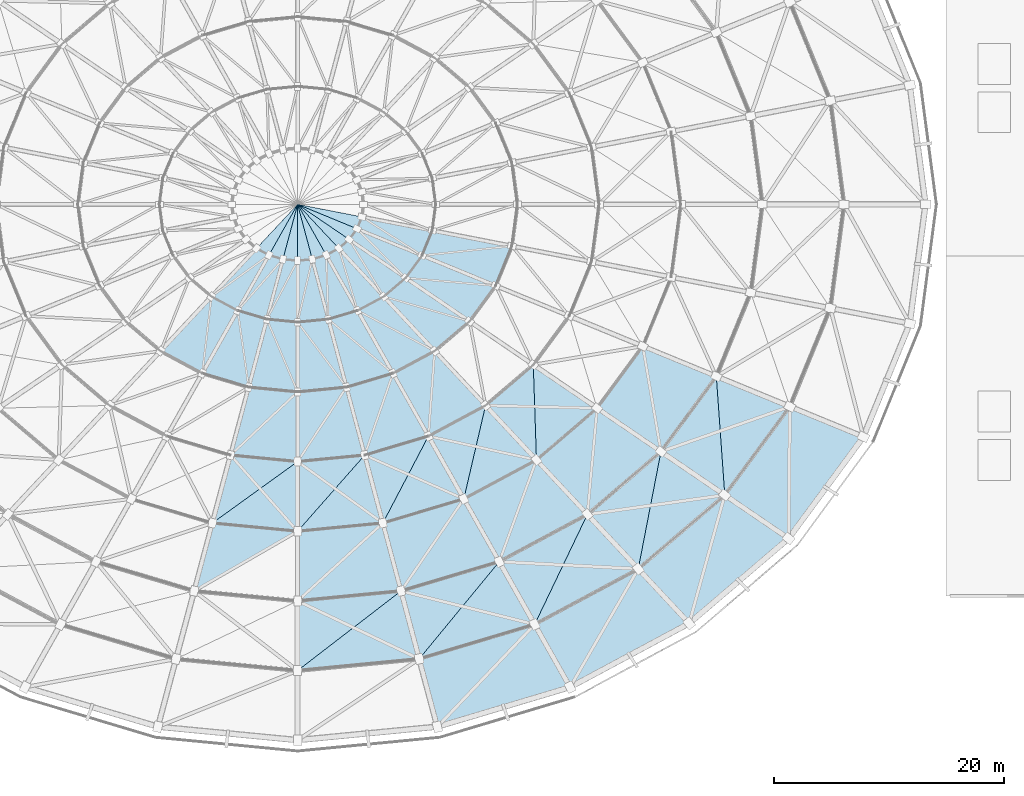
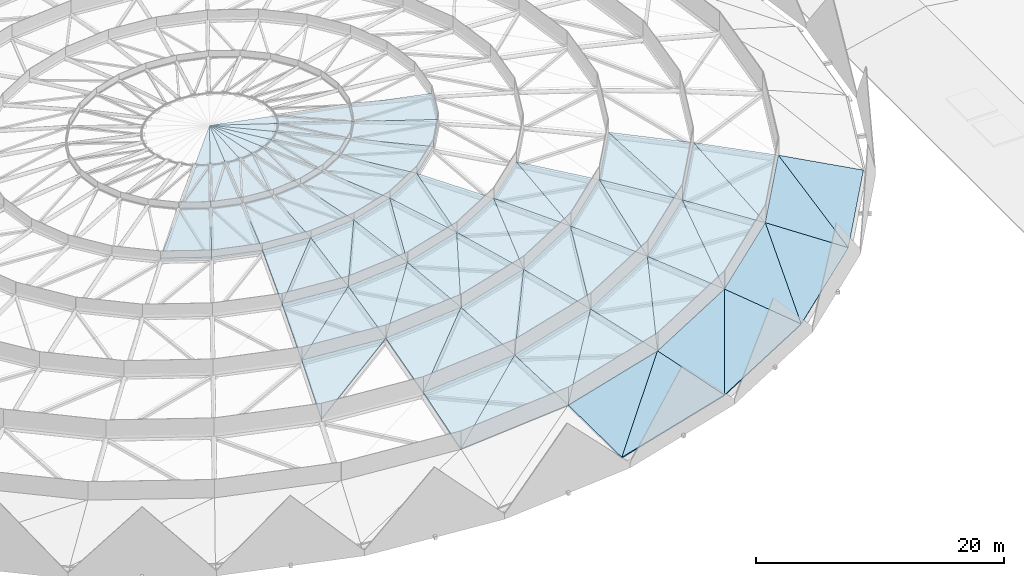
# One storey, part 20 of 27: 56 roofs.
"""IFC4 building model written with IfcOpenShell, lengths in metres."""

from ifc_helpers import new_model, si_unit, direction, frame, origin, place, context, subcontext, project, spatial, polyline, outline, extrude, material, layer, layer_set, type_object, element, save


model = new_model("IFC4")

# Units and contexts
model_context = context("Model", 3, precision=1e-05, world=origin(), true_north=direction((0.0, 1.0)))
body_context = subcontext(model_context, "Body", "Model", "MODEL_VIEW")
ifc_project = project(units=[si_unit("LENGTHUNIT", "METRE"), si_unit("AREAUNIT", "SQUARE_METRE"), si_unit("VOLUMEUNIT", "CUBIC_METRE"), si_unit("PLANEANGLEUNIT", "RADIAN"), si_unit("MASSUNIT", "GRAM", prefix="KILO")], contexts=[model_context])

# Site, building, storey
site_placement = place(None, origin())
site = spatial("IfcSite", under=ifc_project, at=site_placement, CompositionType="ELEMENT")
building_placement = place(site_placement, origin())
building = spatial("IfcBuilding", under=site, at=building_placement, Name="Cuetzalor Civic Arena", CompositionType="ELEMENT")
storey_placement = place(building_placement, frame((0.0, 0.0, 31.800048828125)))
storey = spatial("IfcBuildingStorey", under=building, at=storey_placement, Name="Roof", CompositionType="ELEMENT", Elevation=31.800048828125)

# Roofs
ifc_material = material(Name="Standing-seam acoustic zinc and steel deck", Category="steel")
ifc_layer = layer(ifc_material, 0.179931640625)
ifc_layer_set = layer_set([ifc_layer], Name="Standing-seam acoustic zinc and steel deck")
roof_type = type_object("IfcRoofType", Name="ArenaDomeRoof_StandingSeam", PredefinedType="DOME_ROOF", material=ifc_layer_set)
roof_1_placement = place(storey_placement, frame((12.138427734375, -45.3828125, 0.4150390625), z_axis=(0.093492784167, -0.313125573921, 0.945098658482), x_axis=(0.95820017042, 0.286098642791, 0.0)))
element("IfcRoof", 1, at=roof_1_placement, inside=storey, type_object=roof_type, Name="Arena Space-Frame Dome Shell Panel R1-S23A", PredefinedType="DOME_ROOF", context=body_context, shape_type="SweptSolid", body=[
    extrude(outline(polyline([(0.0, 0.0), (12.033006936139385, -4.440892098500626e-16), (10.644638831073085, 6.459412026563838), (0.0, 0.0)])), origin(), (0.0, 0.0, -1.0), 0.179931640625),
])
roof_2_placement = place(storey_placement, frame((12.138427734375, -45.3828125, 0.4150390625), z_axis=(0.093505868159, -0.313136816778, 0.945093639063), x_axis=(0.678900518938, 0.714390639643, 0.16952905172)))
element("IfcRoof", 2, at=roof_2_placement, inside=storey, type_object=roof_type, Name="Arena Space-Frame Dome Shell Panel R1-S23B", PredefinedType="DOME_ROOF", context=body_context, shape_type="SweptSolid", body=[
    extrude(outline(polyline([(0.0, 0.0), (12.451198318752557, -3.3306690738754696e-16), (3.501285140193802, 5.430683394666152), (0.0, 0.0)])), origin(), (0.0, 0.0, -1.0), 0.179931640625),
])
roof_3_placement = place(storey_placement, frame((23.66845703125, -41.940185546875, 0.4150390625), z_axis=(0.15100952992, -0.281630513077, 0.947565499571), x_axis=(0.881302704338, 0.472552159371, 0.0)))
element("IfcRoof", 3, at=roof_3_placement, inside=storey, type_object=roof_type, Name="Arena Space-Frame Dome Shell Panel R1-S24A", PredefinedType="DOME_ROOF", context=body_context, shape_type="SweptSolid", body=[
    extrude(outline(polyline([(0.0, 0.0), (11.736055644911866, -8.881784197001252e-16), (10.07499974114683, 6.605423689352449), (0.0, 0.0)])), origin(), (0.0, 0.0, -1.0), 0.179931640625),
])
roof_4_placement = place(storey_placement, frame((23.66845703125, -41.940185546875, 0.4150390625), z_axis=(0.151002945209, -0.281627140551, 0.947567551282), x_axis=(0.491511849507, 0.853063053722, 0.175212808231)))
element("IfcRoof", 4, at=roof_4_placement, inside=storey, type_object=roof_type, Name="Arena Space-Frame Dome Shell Panel R1-S24B", PredefinedType="DOME_ROOF", context=body_context, shape_type="SweptSolid", body=[
    extrude(outline(polyline([(0.0, 0.0), (12.04729189071001, -1.1102230246251565e-16), (3.5087459178262206, 5.59823827719228), (0.0, 0.0)])), origin(), (0.0, 0.0, -1.0), 0.179931640625),
])
roof_5_placement = place(storey_placement, frame((34.011474609375, -36.394287109375, 0.4150390625), z_axis=(0.201361554576, -0.235963381118, 0.950670714343), x_axis=(0.760676878001, 0.649130716632, 0.0)))
element("IfcRoof", 5, at=roof_5_placement, inside=storey, type_object=roof_type, Name="Arena Space-Frame Dome Shell Panel R1-S25A", PredefinedType="DOME_ROOF", context=body_context, shape_type="SweptSolid", body=[
    extrude(outline(polyline([(0.0, 0.0), (11.35495428042528, 0.0), (9.586569074232107, 6.804729847043853), (0.0, 0.0)])), origin(), (0.0, 0.0, -1.0), 0.179931640625),
])
roof_6_placement = place(storey_placement, frame((34.011474609375, -36.394287109375, 0.4150390625), z_axis=(0.201357748461, -0.235962517994, 0.950671734742), x_axis=(0.263098220305, 0.947913668467, 0.179552230859)))
element("IfcRoof", 6, at=roof_6_placement, inside=storey, type_object=roof_type, Name="Arena Space-Frame Dome Shell Panel R1-S25B", PredefinedType="DOME_ROOF", context=body_context, shape_type="SweptSolid", body=[
    extrude(outline(polyline([(0.0, 0.0), (11.756132650930446, 4.440892098500626e-16), (3.7004530520720937, 5.718161946001663), (0.0, 0.0)])), origin(), (0.0, 0.0, -1.0), 0.179931640625),
])
roof_7_placement = place(storey_placement, frame((42.64892578125, -29.0234375, 0.4150390625), z_axis=(0.241905873144, -0.17812387539, 0.953809956729), x_axis=(0.59293459696, 0.805250621687, 0.0)))
element("IfcRoof", 7, at=roof_7_placement, inside=storey, type_object=roof_type, Name="Arena Space-Frame Dome Shell Panel R1-S26A", PredefinedType="DOME_ROOF", context=body_context, shape_type="SweptSolid", body=[
    extrude(outline(polyline([(0.0, 0.0), (10.960776232010911, -8.881784197001252e-16), (9.286650035525414, 7.026514380858676), (0.0, 0.0)])), origin(), (0.0, 0.0, -1.0), 0.179931640625),
])
roof_8_placement = place(storey_placement, frame((42.64892578125, -29.0234375, 0.4150390625), z_axis=(0.241915430252, -0.178123531911, 0.953807596943), x_axis=(0.009413139464, 0.983390050899, 0.181260587547)))
element("IfcRoof", 8, at=roof_8_placement, inside=storey, type_object=roof_type, Name="Arena Space-Frame Dome Shell Panel R1-S26B", PredefinedType="DOME_ROOF", context=body_context, shape_type="SweptSolid", body=[
    extrude(outline(polyline([(0.0, 0.0), (11.645332679951139, 0.0), (4.040702267893905, 5.753630133313173), (0.0, 0.0)])), origin(), (0.0, 0.0, -1.0), 0.179931640625),
])
roof_9_placement = place(storey_placement, frame((0.0, -40.49853515625, 2.52587890625), z_axis=(0.028703639915, -0.298534418886, 0.95396713874), x_axis=(0.995409535031, 0.095707144817, 0.0)))
element("IfcRoof", 9, at=roof_9_placement, inside=storey, type_object=roof_type, Name="Arena Space-Frame Dome Shell Panel R2-S22A", PredefinedType="DOME_ROOF", context=body_context, shape_type="SweptSolid", body=[
    extrude(outline(polyline([(0.0, 0.0), (10.609248257471279, 1.1102230246251565e-16), (9.603030393018331, 6.314532903713079), (0.0, 0.0)])), origin(), (0.0, 0.0, -1.0), 0.179931640625),
])
roof_10_placement = place(storey_placement, frame((0.0, -40.49853515625, 2.52587890625), z_axis=(0.028708257056, -0.298539907745, 0.953965282104), x_axis=(0.781548586881, 0.601689598919, 0.164776918581)))
element("IfcRoof", 10, at=roof_10_placement, inside=storey, type_object=roof_type, Name="Arena Space-Frame Dome Shell Panel R2-S22B", PredefinedType="DOME_ROOF", context=body_context, shape_type="SweptSolid", body=[
    extrude(outline(polyline([(0.0, 0.0), (11.493107435385301, 5.551115123125783e-17), (3.953187169391751, 4.957782057135439), (0.0, 0.0)])), origin(), (0.0, 0.0, -1.0), 0.179931640625),
])
roof_11_placement = place(storey_placement, frame((10.560546875, -39.483154296875, 2.52587890625), z_axis=(0.084777775286, -0.283907771878, 0.955096385652), x_axis=(0.95819201033, 0.286125971104, 0.0)))
element("IfcRoof", 11, at=roof_11_placement, inside=storey, type_object=roof_type, Name="Arena Space-Frame Dome Shell Panel R2-S23A", PredefinedType="DOME_ROOF", context=body_context, shape_type="SweptSolid", body=[
    extrude(outline(polyline([(0.0, 0.0), (10.468680338841297, 4.440892098500626e-16), (9.08041649130718, 6.391592925687532), (0.0, 0.0)])), origin(), (0.0, 0.0, -1.0), 0.179931640625),
])
roof_12_placement = place(storey_placement, frame((10.560546875, -39.483154296875, 2.52587890625), z_axis=(0.084769059936, -0.283901208112, 0.955099110308), x_axis=(0.626250633236, 0.760739297872, 0.170545785775)))
element("IfcRoof", 12, at=roof_12_placement, inside=storey, type_object=roof_type, Name="Arena Space-Frame Dome Shell Panel R2-S23B", PredefinedType="DOME_ROOF", context=body_context, shape_type="SweptSolid", body=[
    extrude(outline(polyline([(0.0, 0.0), (11.104342564208936, 3.885780586188048e-16), (3.8229651951640298, 5.125498736648349), (0.0, 0.0)])), origin(), (0.0, 0.0, -1.0), 0.179931640625),
])
roof_13_placement = place(storey_placement, frame((20.591552734375, -36.48779296875, 2.52587890625), z_axis=(0.136847439862, -0.255226499898, 0.95714795719), x_axis=(0.881308929079, 0.472540550139, 0.0)))
element("IfcRoof", 13, at=roof_13_placement, inside=storey, type_object=roof_type, Name="Arena Space-Frame Dome Shell Panel R2-S24A", PredefinedType="DOME_ROOF", context=body_context, shape_type="SweptSolid", body=[
    extrude(outline(polyline([(0.0, 0.0), (10.210143933327815, 0.0), (8.549336110101432, 6.5393750953462515), (0.0, 0.0)])), origin(), (0.0, 0.0, -1.0), 0.179931640625),
])
roof_14_placement = place(storey_placement, frame((20.591552734375, -36.48779296875, 2.52587890625), z_axis=(0.136855314861, -0.255229870368, 0.957145932482), x_axis=(0.425221522415, 0.88782316266, 0.175945129854)))
element("IfcRoof", 14, at=roof_14_placement, inside=storey, type_object=roof_type, Name="Arena Space-Frame Dome Shell Panel R2-S24B", PredefinedType="DOME_ROOF", context=body_context, shape_type="SweptSolid", body=[
    extrude(outline(polyline([(0.0, 0.0), (10.763576290486313, 1.1102230246251565e-16), (3.8653824203605867, 5.2762254863146705), (0.0, 0.0)])), origin(), (0.0, 0.0, -1.0), 0.179931640625),
])
roof_15_placement = place(storey_placement, frame((29.58984375, -31.6630859375, 2.52587890625), z_axis=(0.182374954967, -0.21371739564, 0.959720923291), x_axis=(0.760681764148, 0.649124990809, 0.0)))
element("IfcRoof", 15, at=roof_15_placement, inside=storey, type_object=roof_type, Name="Arena Space-Frame Dome Shell Panel R2-S25A", PredefinedType="DOME_ROOF", context=body_context, shape_type="SweptSolid", body=[
    extrude(outline(polyline([(0.0, 0.0), (9.878833425064123, 8.881784197001252e-16), (8.110743715816882, 6.740575465109467), (0.0, 0.0)])), origin(), (0.0, 0.0, -1.0), 0.179931640625),
])
roof_16_placement = place(storey_placement, frame((29.58984375, -31.6630859375, 2.52587890625), z_axis=(0.182370638824, -0.213716740301, 0.959721889409), x_axis=(0.186843024489, 0.96583791658, 0.179573948825)))
element("IfcRoof", 16, at=roof_16_placement, inside=storey, type_object=roof_type, Name="Arena Space-Frame Dome Shell Panel R2-S25B", PredefinedType="DOME_ROOF", context=body_context, shape_type="SweptSolid", body=[
    extrude(outline(polyline([(0.0, 0.0), (10.546066623367157, -4.440892098500626e-16), (4.083780949914308, 5.370702227497047), (0.0, 0.0)])), origin(), (0.0, 0.0, -1.0), 0.179931640625),
])
roof_17_placement = place(storey_placement, frame((37.1044921875, -25.25048828125, 2.52587890625), z_axis=(0.218981097675, -0.161236869012, 0.962314891775), x_axis=(0.592918666159, 0.805262351858, 0.0)))
element("IfcRoof", 17, at=roof_17_placement, inside=storey, type_object=roof_type, Name="Arena Space-Frame Dome Shell Panel R2-S26A", PredefinedType="DOME_ROOF", context=body_context, shape_type="SweptSolid", body=[
    extrude(outline(polyline([(0.0, 0.0), (9.535966831682835, 0.0), (7.861921382100916, 6.964093771003898), (0.0, 0.0)])), origin(), (0.0, 0.0, -1.0), 0.179931640625),
])
roof_18_placement = place(storey_placement, frame((37.1044921875, -25.25048828125, 2.52587890625), z_axis=(0.218977521672, -0.161237261584, 0.962315639735), x_axis=(-0.069991692495, 0.981115697483, 0.180314034766)))
element("IfcRoof", 18, at=roof_18_placement, inside=storey, type_object=roof_type, Name="Arena Space-Frame Dome Shell Panel R2-S26B", PredefinedType="DOME_ROOF", context=body_context, shape_type="SweptSolid", body=[
    extrude(outline(polyline([(0.0, 0.0), (10.502781054067103, 5.551115123125783e-17), (4.4314649455924116, 5.378068171450354), (0.0, 0.0)])), origin(), (0.0, 0.0, -1.0), 0.179931640625),
])
roof_19_placement = place(storey_placement, frame((-8.982421875, -33.583251953125, 4.419677734375), z_axis=(-0.025453188251, -0.264735852692, 0.963984991329), x_axis=(0.855048549129, 0.493828186031, 0.158195136821)))
element("IfcRoof", 19, at=roof_19_placement, inside=storey, type_object=roof_type, Name="Arena Space-Frame Dome Shell Panel R3-S21B", PredefinedType="DOME_ROOF", context=body_context, shape_type="SweptSolid", body=[
    extrude(outline(polyline([(0.0, 0.0), (10.505160068570673, 1.1657341758564144e-15), (4.5254812462879865, 4.424645801281962), (0.0, 0.0)])), origin(), (0.0, 0.0, -1.0), 0.179931640625),
])
roof_20_placement = place(storey_placement, frame((0.0, -34.447021484375, 4.419677734375), z_axis=(0.025457479161, -0.264734757854, 0.963985178692), x_axis=(0.995408235955, 0.095720655001, 0.0)))
element("IfcRoof", 20, at=roof_20_placement, inside=storey, type_object=roof_type, Name="Arena Space-Frame Dome Shell Panel R3-S22A", PredefinedType="DOME_ROOF", context=body_context, shape_type="SweptSolid", body=[
    extrude(outline(polyline([(0.0, 0.0), (9.023857298494606, 0.0), (8.017940843204515, 6.248648098771684), (0.0, 0.0)])), origin(), (0.0, 0.0, -1.0), 0.179931640625),
])
roof_21_placement = place(storey_placement, frame((0.0, -34.447021484375, 4.419677734375), z_axis=(0.025452605239, -0.264729788851, 0.963986671994), x_axis=(0.728414645923, 0.66534573959, 0.163484404194)))
element("IfcRoof", 21, at=roof_21_placement, inside=storey, type_object=roof_type, Name="Arena Space-Frame Dome Shell Panel R3-S22B", PredefinedType="DOME_ROOF", context=body_context, shape_type="SweptSolid", body=[
    extrude(outline(polyline([(0.0, 0.0), (10.165282997900754, -1.6653345369377348e-16), (4.29803788734222, 4.5726889350889754), (0.0, 0.0)])), origin(), (0.0, 0.0, -1.0), 0.179931640625),
])
roof_22_placement = place(storey_placement, frame((8.982421875, -33.583251953125, 4.419677734375), z_axis=(0.075152347733, -0.251693746868, 0.964884647208), x_axis=(0.958198261041, 0.286105037598, 0.0)))
element("IfcRoof", 22, at=roof_22_placement, inside=storey, type_object=roof_type, Name="Arena Space-Frame Dome Shell Panel R3-S23A", PredefinedType="DOME_ROOF", context=body_context, shape_type="SweptSolid", body=[
    extrude(outline(polyline([(0.0, 0.0), (8.904447972211592, -4.440892098500626e-16), (7.516050759255841, 6.32672204802317), (0.0, 0.0)])), origin(), (0.0, 0.0, -1.0), 0.179931640625),
])
roof_23_placement = place(storey_placement, frame((8.982421875, -33.583251953125, 4.419677734375), z_axis=(0.075155803354, -0.251695929207, 0.964883808779), x_axis=(0.555284159458, 0.814275947772, 0.169157273369)))
element("IfcRoof", 23, at=roof_23_placement, inside=storey, type_object=roof_type, Name="Arena Space-Frame Dome Shell Panel R3-S23B", PredefinedType="DOME_ROOF", context=body_context, shape_type="SweptSolid", body=[
    extrude(outline(polyline([(0.0, 0.0), (9.82437941493776, -1.887379141862766e-15), (4.208894119913557, 4.72680455113848), (0.0, 0.0)])), origin(), (0.0, 0.0, -1.0), 0.179931640625),
])
roof_24_placement = place(storey_placement, frame((17.5146484375, -31.03564453125, 4.419677734375), z_axis=(0.121268103981, -0.226160324794, 0.966512056027), x_axis=(0.88130020339, 0.472556823572, 0.0)))
element("IfcRoof", 24, at=roof_24_placement, inside=storey, type_object=roof_type, Name="Arena Space-Frame Dome Shell Panel R3-S24A", PredefinedType="DOME_ROOF", context=body_context, shape_type="SweptSolid", body=[
    extrude(outline(polyline([(0.0, 0.0), (8.68467812024583, 0.0), (7.023655342024928, 6.475946523311035), (0.0, 0.0)])), origin(), (0.0, 0.0, -1.0), 0.179931640625),
])
roof_25_placement = place(storey_placement, frame((17.5146484375, -31.03564453125, 4.419677734375), z_axis=(0.12127248328, -0.226161760332, 0.966511170635), x_axis=(0.338323463708, 0.924812132951, 0.173953305949)))
element("IfcRoof", 25, at=roof_25_placement, inside=storey, type_object=roof_type, Name="Arena Space-Frame Dome Shell Panel R3-S24B", PredefinedType="DOME_ROOF", context=body_context, shape_type="SweptSolid", body=[
    extrude(outline(polyline([(0.0, 0.0), (9.553513371338294, 1.1102230246251565e-16), (4.290311057994754, 4.852658005622666), (0.0, 0.0)])), origin(), (0.0, 0.0, -1.0), 0.179931640625),
])
roof_26_placement = place(storey_placement, frame((25.16845703125, -26.931640625, 4.419677734375), z_axis=(0.161511103138, -0.189271840619, 0.968550635698), x_axis=(0.760688366944, 0.649117253195, 0.0)))
element("IfcRoof", 26, at=roof_26_placement, inside=storey, type_object=roof_type, Name="Arena Space-Frame Dome Shell Panel R3-S25A", PredefinedType="DOME_ROOF", context=body_context, shape_type="SweptSolid", body=[
    extrude(outline(polyline([(0.0, 0.0), (8.402712570459357, 8.881784197001252e-16), (6.634212867718413, 6.67907886923034), (0.0, 0.0)])), origin(), (0.0, 0.0, -1.0), 0.179931640625),
])
roof_27_placement = place(storey_placement, frame((25.16845703125, -26.931640625, 4.419677734375), z_axis=(0.161506103207, -0.189271542105, 0.968551527786), x_axis=(0.090016422422, 0.980170177304, 0.176531773962)))
element("IfcRoof", 27, at=roof_27_placement, inside=storey, type_object=roof_type, Name="Arena Space-Frame Dome Shell Panel R3-S25B", PredefinedType="DOME_ROOF", context=body_context, shape_type="SweptSolid", body=[
    extrude(outline(polyline([(0.0, 0.0), (9.413972323923618, 0.0), (4.532734918178539, 4.914386452455479), (0.0, 0.0)])), origin(), (0.0, 0.0, -1.0), 0.179931640625),
])
roof_28_placement = place(storey_placement, frame((31.560302734375, -21.477294921875, 4.419677734375), z_axis=(0.193812579037, -0.142707841727, 0.970603500981), x_axis=(0.592925880885, 0.80525703957, 0.0)))
element("IfcRoof", 28, at=roof_28_placement, inside=storey, type_object=roof_type, Name="Arena Space-Frame Dome Shell Panel R3-S26A", PredefinedType="DOME_ROOF", context=body_context, shape_type="SweptSolid", body=[
    extrude(outline(polyline([(0.0, 0.0), (8.110764239317504, 8.881784197001252e-16), (6.436855342297008, 6.9047565717553), (0.0, 0.0)])), origin(), (0.0, 0.0, -1.0), 0.179931640625),
])
roof_29_placement = place(storey_placement, frame((31.560302734375, -21.477294921875, 4.419677734375), z_axis=(0.193812934934, -0.142707769349, 0.970603440556), x_axis=(-0.167385693551, 0.970045613107, 0.176049817059)))
element("IfcRoof", 29, at=roof_29_placement, inside=storey, type_object=roof_type, Name="Arena Space-Frame Dome Shell Panel R3-S26B", PredefinedType="DOME_ROOF", context=body_context, shape_type="SweptSolid", body=[
    extrude(outline(polyline([(0.0, 0.0), (9.439744170943168, 0.0), (4.880562771050326, 4.890582048982679), (0.0, 0.0)])), origin(), (0.0, 0.0, -1.0), 0.179931640625),
])
roof_30_placement = place(storey_placement, frame((-7.404541015625, -27.68359375, 6.08154296875), z_axis=(-0.021825329087, -0.227002882674, 0.973649498674), x_axis=(0.995409810791, -0.095704276708, 0.0)))
element("IfcRoof", 30, at=roof_30_placement, inside=storey, type_object=roof_type, Name="Arena Space-Frame Dome Shell Panel R4-S21A", PredefinedType="DOME_ROOF", context=body_context, shape_type="SweptSolid", body=[
    extrude(outline(polyline([(0.0, 0.0), (7.438685991790361, -1.1102230246251565e-16), (6.859530252836804, 6.186760315007557), (0.0, 0.0)])), origin(), (0.0, 0.0, -1.0), 0.179931640625),
])
roof_31_placement = place(storey_placement, frame((-7.404541015625, -27.68359375, 6.08154296875), z_axis=(-0.021829427111, -0.226997506755, 0.973650660165), x_axis=(0.801584686468, 0.578042753726, 0.152736915266)))
element("IfcRoof", 31, at=roof_31_placement, inside=storey, type_object=roof_type, Name="Arena Space-Frame Dome Shell Panel R4-S21B", PredefinedType="DOME_ROOF", context=body_context, shape_type="SweptSolid", body=[
    extrude(outline(polyline([(0.0, 0.0), (9.237378333972025, -8.326672684688674e-17), (4.890891414352174, 3.920346183547206), (0.0, 0.0)])), origin(), (0.0, 0.0, -1.0), 0.179931640625),
])
roof_32_placement = place(storey_placement, frame((0.0, -28.3955078125, 6.08154296875), z_axis=(0.021824924104, -0.226998670493, 0.973650489797), x_axis=(0.995409810791, 0.095704276708, 0.0)))
element("IfcRoof", 32, at=roof_32_placement, inside=storey, type_object=roof_type, Name="Arena Space-Frame Dome Shell Panel R4-S22A", PredefinedType="DOME_ROOF", context=body_context, shape_type="SweptSolid", body=[
    extrude(outline(polyline([(0.0, 0.0), (7.438685991790361, 0.0), (6.432450770589776, 6.186875116361438), (0.0, 0.0)])), origin(), (0.0, 0.0, -1.0), 0.179931640625),
])
roof_33_placement = place(storey_placement, frame((0.0, -28.3955078125, 6.08154296875), z_axis=(0.021829941892, -0.227002859807, 0.973649400594), x_axis=(0.652827009134, 0.740828035255, 0.15808452905)))
element("IfcRoof", 33, at=roof_33_placement, inside=storey, type_object=roof_type, Name="Arena Space-Frame Dome Shell Panel R4-S22B", PredefinedType="DOME_ROOF", context=body_context, shape_type="SweptSolid", body=[
    extrude(outline(polyline([(0.0, 0.0), (8.92490037039705, -3.0531133177191805e-16), (4.706170655091126, 4.057509375278684), (0.0, 0.0)])), origin(), (0.0, 0.0, -1.0), 0.179931640625),
])
roof_34_placement = place(storey_placement, frame((7.404541015625, -27.68359375, 6.08154296875), z_axis=(0.064426140685, -0.215762411168, 0.974318148411), x_axis=(0.958195334565, 0.286114838515, 0.0)))
element("IfcRoof", 34, at=roof_34_placement, inside=storey, type_object=roof_type, Name="Arena Space-Frame Dome Shell Panel R4-S23A", PredefinedType="DOME_ROOF", context=body_context, shape_type="SweptSolid", body=[
    extrude(outline(polyline([(0.0, 0.0), (7.340051523204487, -2.220446049250313e-16), (5.951786603044459, 6.265720408221124), (0.0, 0.0)])), origin(), (0.0, 0.0, -1.0), 0.179931640625),
])
roof_35_placement = place(storey_placement, frame((7.404541015625, -27.68359375, 6.08154296875), z_axis=(0.064427152767, -0.21576290827, 0.974317971404), x_axis=(0.457802503511, 0.873935232712, 0.163260763208)))
element("IfcRoof", 35, at=roof_35_placement, inside=storey, type_object=roof_type, Name="Arena Space-Frame Dome Shell Panel R4-S23B", PredefinedType="DOME_ROOF", context=body_context, shape_type="SweptSolid", body=[
    extrude(outline(polyline([(0.0, 0.0), (8.641933580060554, -4.163336342344337e-16), (4.664005713284604, 4.187718201155079), (0.0, 0.0)])), origin(), (0.0, 0.0, -1.0), 0.179931640625),
])
roof_36_placement = place(storey_placement, frame((14.437744140625, -25.58349609375, 6.08154296875), z_axis=(0.103917834295, -0.19379697437, 0.975522330057), x_axis=(0.881294345533, 0.472567748086, 0.0)))
element("IfcRoof", 36, at=roof_36_placement, inside=storey, type_object=roof_type, Name="Arena Space-Frame Dome Shell Panel R4-S24A", PredefinedType="DOME_ROOF", context=body_context, shape_type="SweptSolid", body=[
    extrude(outline(polyline([(0.0, 0.0), (7.158881777953771, 0.0), (5.498151746841739, 6.416035197353433), (0.0, 0.0)])), origin(), (0.0, 0.0, -1.0), 0.179931640625),
])
roof_37_placement = place(storey_placement, frame((14.437744140625, -25.58349609375, 6.08154296875), z_axis=(0.10390672996, -0.19379467612, 0.975523969453), x_axis=(0.22340734639, 0.960316420671, 0.166977632539)))
element("IfcRoof", 37, at=roof_37_placement, inside=storey, type_object=roof_type, Name="Arena Space-Frame Dome Shell Panel R4-S24B", PredefinedType="DOME_ROOF", context=body_context, shape_type="SweptSolid", body=[
    extrude(outline(polyline([(0.0, 0.0), (8.449566869667164, 2.7755575615628914e-17), (4.7842059508623445, 4.277605070863715), (0.0, 0.0)])), origin(), (0.0, 0.0, -1.0), 0.179931640625),
])
roof_38_placement = place(storey_placement, frame((20.746826171875, -22.200439453125, 6.08154296875), z_axis=(0.13831851233, -0.162097639721, 0.977032417243), x_axis=(0.760697783839, 0.649106217551, 0.0)))
element("IfcRoof", 38, at=roof_38_placement, inside=storey, type_object=roof_type, Name="Arena Space-Frame Dome Shell Panel R4-S25A", PredefinedType="DOME_ROOF", context=body_context, shape_type="SweptSolid", body=[
    extrude(outline(polyline([(0.0, 0.0), (6.926591717094554, 0.0), (5.157998166080546, 6.621070410326915), (0.0, 0.0)])), origin(), (0.0, 0.0, -1.0), 0.179931640625),
])
roof_39_placement = place(storey_placement, frame((20.746826171875, -22.200439453125, 6.08154296875), z_axis=(0.138320306468, -0.162097539469, 0.977032179878), x_axis=(-0.032811692426, 0.985223424164, 0.168101746922)))
element("IfcRoof", 39, at=roof_39_placement, inside=storey, type_object=roof_type, Name="Arena Space-Frame Dome Shell Panel R4-S25B", PredefinedType="DOME_ROOF", context=body_context, shape_type="SweptSolid", body=[
    extrude(outline(polyline([(0.0, 0.0), (8.393063711172273, -1.3877787807814457e-16), (5.043536250529759, 4.299566719973966), (0.0, 0.0)])), origin(), (0.0, 0.0, -1.0), 0.179931640625),
])
roof_40_placement = place(storey_placement, frame((-5.826416015625, -21.78369140625, 7.492431640625), z_axis=(-0.017691649083, -0.18397002412, 0.982772626694), x_axis=(0.995407882731, -0.095724328132, 0.0)))
element("IfcRoof", 40, at=roof_40_placement, inside=storey, type_object=roof_type, Name="Arena Space-Frame Dome Shell Panel R5-S21A", PredefinedType="DOME_ROOF", context=body_context, shape_type="SweptSolid", body=[
    extrude(outline(polyline([(0.0, 0.0), (5.853295032823786, 0.0), (5.274017952402383, 6.129316433758724), (0.0, 0.0)])), origin(), (0.0, 0.0, -1.0), 0.179931640625),
])
roof_41_placement = place(storey_placement, frame((-5.826416015625, -21.78369140625, 7.492431640625), z_axis=(-0.017687034002, -0.183974755349, 0.982771824089), x_axis=(0.720553879521, 0.679099009352, 0.140095118415)))
element("IfcRoof", 41, at=roof_41_placement, inside=storey, type_object=roof_type, Name="Arena Space-Frame Dome Shell Panel R5-S21B", PredefinedType="DOME_ROOF", context=body_context, shape_type="SweptSolid", body=[
    extrude(outline(polyline([(0.0, 0.0), (8.08602407289314, 5.273559366969494e-16), (5.302101717233542, 3.235221238238192), (0.0, 0.0)])), origin(), (0.0, 0.0, -1.0), 0.179931640625),
])
roof_42_placement = place(storey_placement, frame((0.0, -22.343994140625, 7.492431640625), z_axis=(0.01769197969, -0.183973462006, 0.982771977181), x_axis=(0.995407882731, 0.095724328132, 0.0)))
element("IfcRoof", 42, at=roof_42_placement, inside=storey, type_object=roof_type, Name="Arena Space-Frame Dome Shell Panel R5-S22A", PredefinedType="DOME_ROOF", context=body_context, shape_type="SweptSolid", body=[
    extrude(outline(polyline([(0.0, 0.0), (5.853295032823786, 0.0), (4.847400805093158, 6.1292018960755845), (0.0, 0.0)])), origin(), (0.0, 0.0, -1.0), 0.179931640625),
])
roof_43_placement = place(storey_placement, frame((0.0, -22.343994140625, 7.492431640625), z_axis=(0.017686580735, -0.183970040619, 0.982772714831), x_axis=(0.543682221952, 0.826676910289, 0.14496526318)))
element("IfcRoof", 43, at=roof_43_placement, inside=storey, type_object=roof_type, Name="Arena Space-Frame Dome Shell Panel R5-S22B", PredefinedType="DOME_ROOF", context=body_context, shape_type="SweptSolid", body=[
    extrude(outline(polyline([(0.0, 0.0), (7.814372044385547, 4.996003610813204e-16), (5.166865087032178, 3.3477734471517433), (0.0, 0.0)])), origin(), (0.0, 0.0, -1.0), 0.179931640625),
])
roof_44_placement = place(storey_placement, frame((5.826416015625, -21.78369140625, 7.492431640625), z_axis=(0.052203130796, -0.174825346731, 0.983214590654), x_axis=(0.958194283061, 0.286118359965, 0.0)))
element("IfcRoof", 44, at=roof_44_placement, inside=storey, type_object=roof_type, Name="Arena Space-Frame Dome Shell Panel R5-S23A", PredefinedType="DOME_ROOF", context=body_context, shape_type="SweptSolid", body=[
    extrude(outline(polyline([(0.0, 0.0), (5.77588900911004, -2.220446049250313e-16), (4.387576671539997, 6.208793413391091), (0.0, 0.0)])), origin(), (0.0, 0.0, -1.0), 0.179931640625),
])
roof_45_placement = place(storey_placement, frame((5.826416015625, -21.78369140625, 7.492431640625), z_axis=(0.052207984296, -0.17482693931, 0.983214049771), x_axis=(0.323246079807, 0.934510646579, 0.149002762796)))
element("IfcRoof", 45, at=roof_45_placement, inside=storey, type_object=roof_type, Name="Arena Space-Frame Dome Shell Panel R5-S23B", PredefinedType="DOME_ROOF", context=body_context, shape_type="SweptSolid", body=[
    extrude(outline(polyline([(0.0, 0.0), (7.602627486521392, -2.7755575615628914e-17), (5.172041792029325, 3.439320104575966), (0.0, 0.0)])), origin(), (0.0, 0.0, -1.0), 0.179931640625),
])
roof_46_placement = place(storey_placement, frame((11.36083984375, -20.131103515625, 7.492431640625), z_axis=(0.084157221684, -0.156960203884, 0.984012731846), x_axis=(0.881313042066, 0.472532879157, 0.0)))
element("IfcRoof", 46, at=roof_46_placement, inside=storey, type_object=roof_type, Name="Arena Space-Frame Dome Shell Panel R5-S24A", PredefinedType="DOME_ROOF", context=body_context, shape_type="SweptSolid", body=[
    extrude(outline(polyline([(0.0, 0.0), (5.6331852275050105, 0.0), (3.972207559867076, 6.360608649591214), (0.0, 0.0)])), origin(), (0.0, 0.0, -1.0), 0.179931640625),
])
roof_47_placement = place(storey_placement, frame((11.36083984375, -20.131103515625, 7.492431640625), z_axis=(0.084153763188, -0.15696000007, 0.984013060136), x_axis=(0.072437545133, 0.98586685021, 0.151060768277)))
element("IfcRoof", 47, at=roof_47_placement, inside=storey, type_object=roof_type, Name="Arena Space-Frame Dome Shell Panel R5-S24B", PredefinedType="DOME_ROOF", context=body_context, shape_type="SweptSolid", body=[
    extrude(outline(polyline([(0.0, 0.0), (7.49905162616712, -4.163336342344337e-17), (5.323332539643774, 3.4840576156526972), (0.0, 0.0)])), origin(), (0.0, 0.0, -1.0), 0.179931640625),
])
roof_48_placement = place(storey_placement, frame((-11.904052734375, -12.738037109375, 8.625244140625), z_axis=(-0.032305175387, -0.060254231527, 0.997660164197), x_axis=(0.881320873547, -0.472518272505, 0.0)))
element("IfcRoof", 48, at=roof_48_placement, inside=storey, type_object=roof_type, Name="Arena Space-Frame Dome Apex Shell Panel S19", PredefinedType="DOME_ROOF", context=body_context, shape_type="SweptSolid", body=[
    extrude(outline(polyline([(0.0, 0.0), (4.107604047696118, 0.0), (4.472334864586277, 16.890701895383057), (0.0, 0.0)])), origin(), (0.0, 0.0, -1.0), 0.179931640625),
])
roof_49_placement = place(storey_placement, frame((-8.283935546875, -14.678955078125, 8.625244140625), z_axis=(-0.020055173909, -0.067158016521, 0.997540771506), x_axis=(0.958187704523, -0.286140390195, 0.0)))
element("IfcRoof", 49, at=roof_49_placement, inside=storey, type_object=roof_type, Name="Arena Space-Frame Dome Apex Shell Panel S20", PredefinedType="DOME_ROOF", context=body_context, shape_type="SweptSolid", body=[
    extrude(outline(polyline([(0.0, 0.0), (4.211492562027139, 0.0), (3.7373232523743365, 16.476081269365853), (0.0, 0.0)])), origin(), (0.0, 0.0, -1.0), 0.179931640625),
])
roof_50_placement = place(storey_placement, frame((-4.24853515625, -15.884033203125, 8.625244140625), z_axis=(-0.006796926382, -0.070699409978, 0.997474508557), x_axis=(0.995410496211, -0.095697147464, 0.0)))
element("IfcRoof", 50, at=roof_50_placement, inside=storey, type_object=roof_type, Name="Arena Space-Frame Dome Apex Shell Panel S21", PredefinedType="DOME_ROOF", context=body_context, shape_type="SweptSolid", body=[
    extrude(outline(polyline([(0.0, 0.0), (4.268123726262953, 0.0), (2.7089798202974507, 16.25876744597161), (0.0, 0.0)])), origin(), (0.0, 0.0, -1.0), 0.179931640625),
])
roof_51_placement = place(storey_placement, frame((0.0, -16.29248046875, 8.625244140625), z_axis=(0.006796926382, -0.070699409978, 0.997474508557), x_axis=(0.995410496211, 0.095697147464, 0.0)))
element("IfcRoof", 51, at=roof_51_placement, inside=storey, type_object=roof_type, Name="Arena Space-Frame Dome Apex Shell Panel S22", PredefinedType="DOME_ROOF", context=body_context, shape_type="SweptSolid", body=[
    extrude(outline(polyline([(0.0, 0.0), (4.268123726262953, 0.0), (1.559143905965503, 16.25876744597161), (0.0, 0.0)])), origin(), (0.0, 0.0, -1.0), 0.179931640625),
])
roof_52_placement = place(storey_placement, frame((4.24853515625, -15.884033203125, 8.625244140625), z_axis=(0.020055173909, -0.067158016521, 0.997540771506), x_axis=(0.958187704523, 0.286140390195, 0.0)))
element("IfcRoof", 52, at=roof_52_placement, inside=storey, type_object=roof_type, Name="Arena Space-Frame Dome Apex Shell Panel S23", PredefinedType="DOME_ROOF", context=body_context, shape_type="SweptSolid", body=[
    extrude(outline(polyline([(0.0, 0.0), (4.211492562027139, 0.0), (0.4741693096528028, 16.476081269365853), (0.0, 0.0)])), origin(), (0.0, 0.0, -1.0), 0.179931640625),
])
roof_53_placement = place(storey_placement, frame((8.283935546875, -14.678955078125, 8.625244140625), z_axis=(0.032305175387, -0.060254231527, 0.997660164197), x_axis=(0.881320873547, 0.472518272505, 0.0)))
element("IfcRoof", 53, at=roof_53_placement, inside=storey, type_object=roof_type, Name="Arena Space-Frame Dome Apex Shell Panel S24", PredefinedType="DOME_ROOF", context=body_context, shape_type="SweptSolid", body=[
    extrude(outline(polyline([(0.0, 0.0), (4.107604047696118, 0.0), (-0.36473081689015885, 16.890701895383057), (0.0, 0.0)])), origin(), (0.0, 0.0, -1.0), 0.179931640625),
])
roof_54_placement = place(storey_placement, frame((11.904052734375, -12.738037109375, 8.625244140625), z_axis=(0.042946540683, -0.050323087607, 0.997809190926), x_axis=(0.760655501722, 0.64915576536, 0.0)))
element("IfcRoof", 54, at=roof_54_placement, inside=storey, type_object=roof_type, Name="Arena Space-Frame Dome Apex Shell Panel S25", PredefinedType="DOME_ROOF", context=body_context, shape_type="SweptSolid", body=[
    extrude(outline(polyline([(0.0, 0.0), (3.974137059296952, 2.220446049250313e-16), (-0.7859129762612493, 17.455083226769077), (0.0, 0.0)])), origin(), (0.0, 0.0, -1.0), 0.179931640625),
])
roof_55_placement = place(storey_placement, frame((14.927001953125, -10.158203125, 8.625244140625), z_axis=(0.05143165391, -0.037871549789, 0.997958180834), x_axis=(0.592940674136, 0.805246146812, 0.0)))
element("IfcRoof", 55, at=roof_55_placement, inside=storey, type_object=roof_type, Name="Arena Space-Frame Dome Apex Shell Panel S26", PredefinedType="DOME_ROOF", context=body_context, shape_type="SweptSolid", body=[
    extrude(outline(polyline([(0.0, 0.0), (3.836232362435057, -2.220446049250313e-16), (-0.6709726759805932, 18.08003878487378), (0.0, 0.0)])), origin(), (0.0, 0.0, -1.0), 0.179931640625),
])
roof_56_placement = place(storey_placement, frame((17.20166015625, -7.069091796875, 8.625244140625), z_axis=(0.057340237991, -0.023513359556, 0.998077762015), x_axis=(0.379406628759, 0.925230030886, 0.0)))
element("IfcRoof", 56, at=roof_56_placement, inside=storey, type_object=roof_type, Name="Arena Space-Frame Dome Apex Shell Panel S27", PredefinedType="DOME_ROOF", context=body_context, shape_type="SweptSolid", body=[
    extrude(outline(polyline([(0.0, 0.0), (3.7218890445293704, 2.220446049250313e-16), (0.014112132619108486, 18.63337061748551), (0.0, 0.0)])), origin(), (0.0, 0.0, -1.0), 0.179931640625),
])

save(model, "model.ifc")
